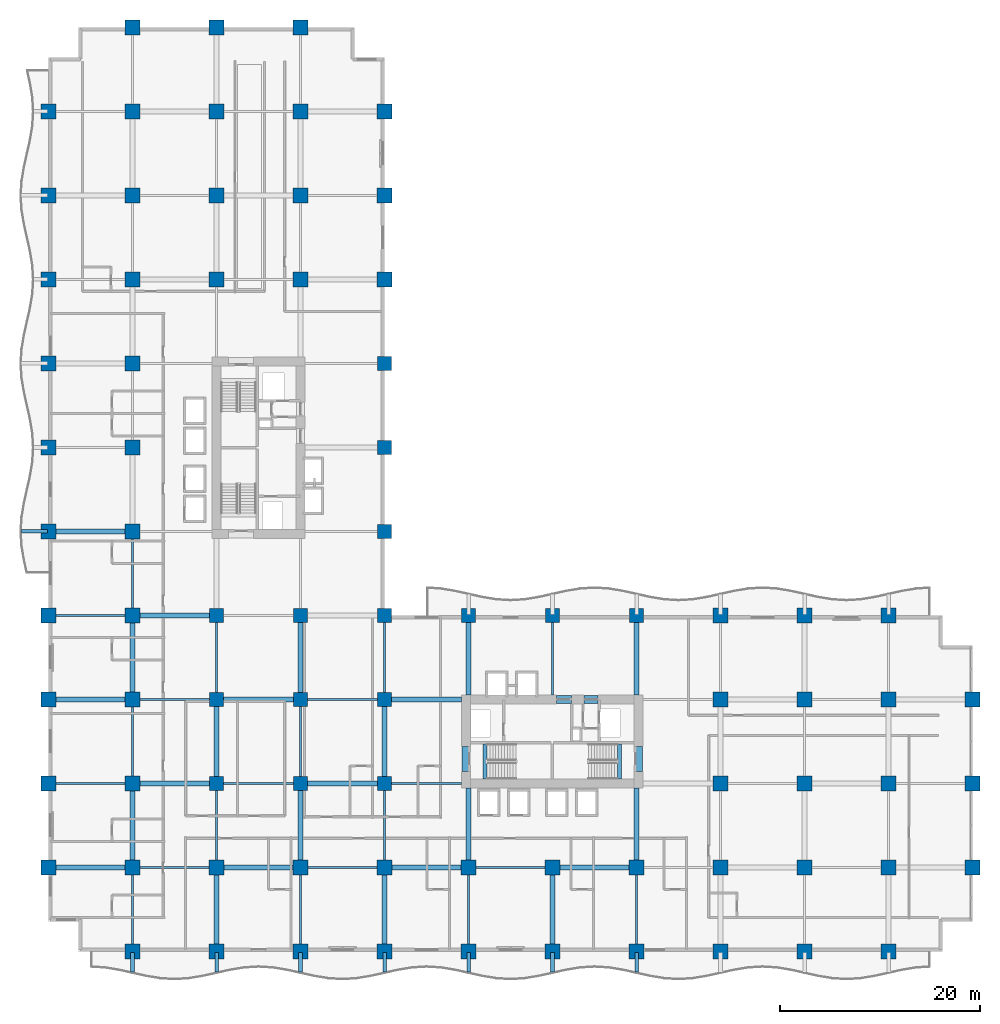
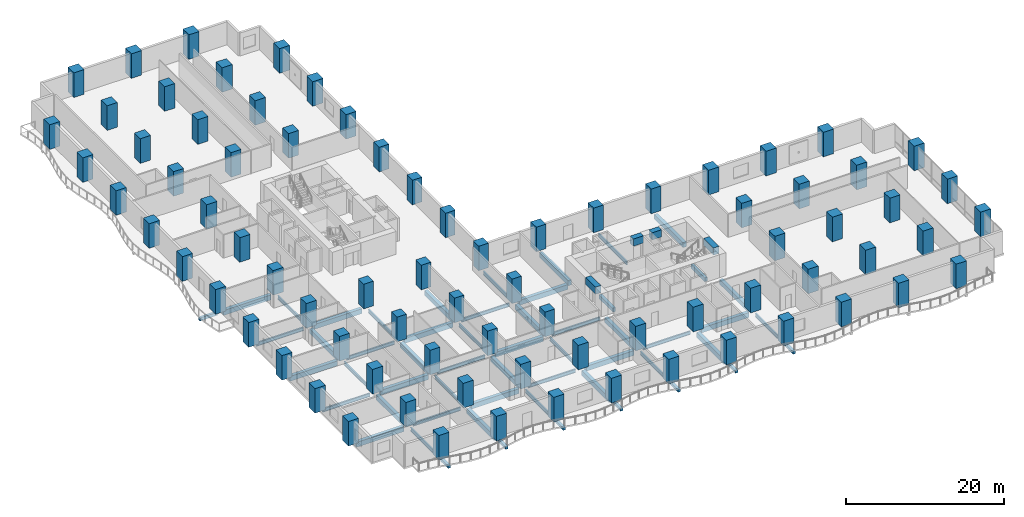
# One storey, part 1 of 27: 78 columns, 59 beams.
"""IFC4 building model written with IfcOpenShell, lengths in metres."""

from ifc_helpers import new_model, si_unit, direction, frame, origin, origin_2d, place, context, subcontext, project, spatial, rectangle, i_section, extrude, material, material_profile, profile_set, type_object, element, save


model = new_model("IFC4")

# Units and contexts
model_context = context("Model", 3, precision=1e-05, world=origin(), true_north=direction((0.0, 1.0)))
body_context = subcontext(model_context, "Body", "Model", "MODEL_VIEW")
ifc_project = project(units=[si_unit("LENGTHUNIT", "METRE"), si_unit("AREAUNIT", "SQUARE_METRE"), si_unit("VOLUMEUNIT", "CUBIC_METRE"), si_unit("PLANEANGLEUNIT", "RADIAN"), si_unit("MASSUNIT", "GRAM", prefix="KILO")], contexts=[model_context])

# Site, building, storey
site_placement = place(None, origin())
site = spatial("IfcSite", under=ifc_project, at=site_placement, CompositionType="ELEMENT")
building_placement = place(site_placement, origin())
building = spatial("IfcBuilding", under=site, at=building_placement, Name="Koriwani Terraces Tower", CompositionType="ELEMENT")
storey_placement = place(building_placement, frame((0.0, 0.0, 70.0)))
storey = spatial("IfcBuildingStorey", under=building, at=storey_placement, Name="L16", CompositionType="ELEMENT", Elevation=70.0)

# Columns
ifc_material_1 = material(Name="Concrete C60/75", Category="concrete")
ifc_material_profile_1 = material_profile(ifc_material_1, rectangle(XDim=1.39990234375, YDim=1.39990234375, at=origin_2d()), Name="Concrete C60/75", Category="LoadBearing")
ifc_profile_set_1 = profile_set([ifc_material_profile_1], Name="Concrete C60/75")
column_type_1 = type_object("IfcColumnType", Name="COL_RC_1400X1400", PredefinedType="COLUMN", material=ifc_profile_set_1)
for number, where, z_axis, x_axis, name in (
    (1, (16.800048828125, 16.800048828125, 0.0), (0.0, 0.0, 1.0), (1.0, 0.0, 0.0), "L16 Column 3/C"),
    (2, (16.800048828125, 25.199951171875, 0.0), (0.0, 0.0, 1.0), (1.0, 0.0, 0.0), "L16 Column 3/D"),
    (3, (16.800048828125, 33.60009765625, 0.0), (0.0, 0.0, 1.0), (1.0, 0.0, 0.0), "L16 Column 3/E"),
    (4, (25.199951171875, 16.800048828125, 0.0), (0.0, 0.0, 1.0), (1.0, 0.0, 0.0), "L16 Column 4/C"),
    (5, (25.199951171875, 25.199951171875, 0.0), (0.0, 0.0, 1.0), (1.0, 0.0, 0.0), "L16 Column 4/D"),
    (6, (25.199951171875, 33.60009765625, 0.0), (0.0, 0.0, 1.0), (1.0, 0.0, 0.0), "L16 Column 4/E"),
    (7, (33.60009765625, 16.800048828125, 0.0), (0.0, 0.0, 1.0), (1.0, 0.0, 0.0), "L16 Column 5/C"),
    (8, (33.60009765625, 25.199951171875, 0.0), (0.0, 0.0, 1.0), (1.0, 0.0, 0.0), "L16 Column 5/D"),
    (9, (33.60009765625, 33.60009765625, 0.0), (0.0, 0.0, 1.0), (1.0, 0.0, 0.0), "L16 Column 5/E"),
    (10, (33.60009765625, 42.0, 0.0), (0.0, 0.0, 1.0), (1.0, 0.0, 0.0), "L16 Column 5/F"),
    (11, (33.60009765625, 50.39990234375, 0.0), (0.0, 0.0, 1.0), (1.0, 0.0, 0.0), "L16 Column 5/G"),
    (12, (33.60009765625, 58.800048828125, 0.0), (0.0, 0.0, 1.0), (1.0, 0.0, 0.0), "L16 Column 5/H"),
    (13, (42.0, 33.60009765625, 0.0), (0.0, 0.0, 1.0), (1.0, 0.0, 0.0), "L16 Column 6/E"),
    (14, (50.39990234375, 33.60009765625, 0.0), (0.0, 0.0, 1.0), (1.0, 0.0, 0.0), "L16 Column 7/E"),
    (15, (58.800048828125, 33.60009765625, 0.0), (0.0, 0.0, 1.0), (1.0, 0.0, 0.0), "L16 Column 8/E"),
):
    element("IfcColumn", number, at=place(storey_placement, frame(where, z_axis=z_axis, x_axis=x_axis)), inside=storey, type_object=column_type_1, Name=name, PredefinedType="COLUMN", context=body_context, shape_type="SweptSolid", body=[
        extrude(rectangle(XDim=1.39990234375, YDim=1.39990234375, at=origin_2d()), origin(), (0.0, 0.0, 1.0), 3.800048828125),
    ])
ifc_material_profile_2 = material_profile(ifc_material_1, rectangle(XDim=1.5, YDim=1.5, at=origin_2d()), Name="Concrete C60/75", Category="LoadBearing")
ifc_profile_set_2 = profile_set([ifc_material_profile_2], Name="Concrete C60/75")
column_type_2 = type_object("IfcColumnType", Name="COL_RC_1500X1500", PredefinedType="COLUMN", material=ifc_profile_set_2)
for number, where, z_axis, x_axis, name in (
    (16, (0.0, 8.39990234375, 0.0), (0.0, 0.0, 1.0), (1.0, 0.0, 0.0), "L16 Column 1/B"),
    (17, (0.0, 16.800048828125, 0.0), (0.0, 0.0, 1.0), (1.0, 0.0, 0.0), "L16 Column 1/C"),
    (18, (0.0, 25.199951171875, 0.0), (0.0, 0.0, 1.0), (1.0, 0.0, 0.0), "L16 Column 1/D"),
    (19, (0.0, 33.60009765625, 0.0), (0.0, 0.0, 1.0), (1.0, 0.0, 0.0), "L16 Column 1/E"),
    (20, (0.0, 42.0, 0.0), (0.0, 0.0, 1.0), (1.0, 0.0, 0.0), "L16 Column 1/F"),
    (21, (0.0, 50.39990234375, 0.0), (0.0, 0.0, 1.0), (1.0, 0.0, 0.0), "L16 Column 1/G"),
    (22, (0.0, 58.800048828125, 0.0), (0.0, 0.0, 1.0), (1.0, 0.0, 0.0), "L16 Column 1/H"),
    (23, (0.0, 67.199951171875, 0.0), (0.0, 0.0, 1.0), (1.0, 0.0, 0.0), "L16 Column 1/I"),
    (24, (0.0, 75.60009765625, 0.0), (0.0, 0.0, 1.0), (1.0, 0.0, 0.0), "L16 Column 1/J"),
    (25, (0.0, 84.0, 0.0), (0.0, 0.0, 1.0), (1.0, 0.0, 0.0), "L16 Column 1/K"),
    (26, (8.39990234375, 0.0, 0.0), (0.0, 0.0, 1.0), (1.0, 0.0, 0.0), "L16 Column 2/A"),
    (27, (8.39990234375, 8.39990234375, 0.0), (0.0, 0.0, 1.0), (1.0, 0.0, 0.0), "L16 Column 2/B"),
    (28, (8.39990234375, 16.800048828125, 0.0), (0.0, 0.0, 1.0), (1.0, 0.0, 0.0), "L16 Column 2/C"),
    (29, (8.39990234375, 25.199951171875, 0.0), (0.0, 0.0, 1.0), (1.0, 0.0, 0.0), "L16 Column 2/D"),
    (30, (8.39990234375, 33.60009765625, 0.0), (0.0, 0.0, 1.0), (1.0, 0.0, 0.0), "L16 Column 2/E"),
    (31, (8.39990234375, 42.0, 0.0), (0.0, 0.0, 1.0), (1.0, 0.0, 0.0), "L16 Column 2/F"),
    (32, (8.39990234375, 50.39990234375, 0.0), (0.0, 0.0, 1.0), (1.0, 0.0, 0.0), "L16 Column 2/G"),
    (33, (8.39990234375, 58.800048828125, 0.0), (0.0, 0.0, 1.0), (1.0, 0.0, 0.0), "L16 Column 2/H"),
    (34, (8.39990234375, 67.199951171875, 0.0), (0.0, 0.0, 1.0), (1.0, 0.0, 0.0), "L16 Column 2/I"),
    (35, (8.39990234375, 75.60009765625, 0.0), (0.0, 0.0, 1.0), (1.0, 0.0, 0.0), "L16 Column 2/J"),
    (36, (8.39990234375, 84.0, 0.0), (0.0, 0.0, 1.0), (1.0, 0.0, 0.0), "L16 Column 2/K"),
    (37, (8.39990234375, 92.39990234375, 0.0), (0.0, 0.0, 1.0), (1.0, 0.0, 0.0), "L16 Column 2/L"),
    (38, (16.800048828125, 0.0, 0.0), (0.0, 0.0, 1.0), (1.0, 0.0, 0.0), "L16 Column 3/A"),
    (39, (16.800048828125, 8.39990234375, 0.0), (0.0, 0.0, 1.0), (1.0, 0.0, 0.0), "L16 Column 3/B"),
    (40, (16.800048828125, 67.199951171875, 0.0), (0.0, 0.0, 1.0), (1.0, 0.0, 0.0), "L16 Column 3/I"),
    (41, (16.800048828125, 75.60009765625, 0.0), (0.0, 0.0, 1.0), (1.0, 0.0, 0.0), "L16 Column 3/J"),
    (42, (16.800048828125, 84.0, 0.0), (0.0, 0.0, 1.0), (1.0, 0.0, 0.0), "L16 Column 3/K"),
    (43, (16.800048828125, 92.39990234375, 0.0), (0.0, 0.0, 1.0), (1.0, 0.0, 0.0), "L16 Column 3/L"),
    (44, (25.199951171875, 0.0, 0.0), (0.0, 0.0, 1.0), (1.0, 0.0, 0.0), "L16 Column 4/A"),
    (45, (25.199951171875, 8.39990234375, 0.0), (0.0, 0.0, 1.0), (1.0, 0.0, 0.0), "L16 Column 4/B"),
    (46, (25.199951171875, 67.199951171875, 0.0), (0.0, 0.0, 1.0), (1.0, 0.0, 0.0), "L16 Column 4/I"),
    (47, (25.199951171875, 75.60009765625, 0.0), (0.0, 0.0, 1.0), (1.0, 0.0, 0.0), "L16 Column 4/J"),
    (48, (25.199951171875, 84.0, 0.0), (0.0, 0.0, 1.0), (1.0, 0.0, 0.0), "L16 Column 4/K"),
    (49, (25.199951171875, 92.39990234375, 0.0), (0.0, 0.0, 1.0), (1.0, 0.0, 0.0), "L16 Column 4/L"),
    (50, (33.60009765625, 0.0, 0.0), (0.0, 0.0, 1.0), (1.0, 0.0, 0.0), "L16 Column 5/A"),
    (51, (33.60009765625, 8.39990234375, 0.0), (0.0, 0.0, 1.0), (1.0, 0.0, 0.0), "L16 Column 5/B"),
    (52, (33.60009765625, 67.199951171875, 0.0), (0.0, 0.0, 1.0), (1.0, 0.0, 0.0), "L16 Column 5/I"),
    (53, (33.60009765625, 75.60009765625, 0.0), (0.0, 0.0, 1.0), (1.0, 0.0, 0.0), "L16 Column 5/J"),
    (54, (33.60009765625, 84.0, 0.0), (0.0, 0.0, 1.0), (1.0, 0.0, 0.0), "L16 Column 5/K"),
    (55, (42.0, 0.0, 0.0), (0.0, 0.0, 1.0), (1.0, 0.0, 0.0), "L16 Column 6/A"),
    (56, (42.0, 8.39990234375, 0.0), (0.0, 0.0, 1.0), (1.0, 0.0, 0.0), "L16 Column 6/B"),
    (57, (50.39990234375, 0.0, 0.0), (0.0, 0.0, 1.0), (1.0, 0.0, 0.0), "L16 Column 7/A"),
    (58, (50.39990234375, 8.39990234375, 0.0), (0.0, 0.0, 1.0), (1.0, 0.0, 0.0), "L16 Column 7/B"),
    (59, (58.800048828125, 0.0, 0.0), (0.0, 0.0, 1.0), (1.0, 0.0, 0.0), "L16 Column 8/A"),
    (60, (58.800048828125, 8.39990234375, 0.0), (0.0, 0.0, 1.0), (1.0, 0.0, 0.0), "L16 Column 8/B"),
    (61, (67.199951171875, 0.0, 0.0), (0.0, 0.0, 1.0), (1.0, 0.0, 0.0), "L16 Column 9/A"),
    (62, (67.199951171875, 8.39990234375, 0.0), (0.0, 0.0, 1.0), (1.0, 0.0, 0.0), "L16 Column 9/B"),
    (63, (67.199951171875, 16.800048828125, 0.0), (0.0, 0.0, 1.0), (1.0, 0.0, 0.0), "L16 Column 9/C"),
    (64, (67.199951171875, 25.199951171875, 0.0), (0.0, 0.0, 1.0), (1.0, 0.0, 0.0), "L16 Column 9/D"),
    (65, (67.199951171875, 33.60009765625, 0.0), (0.0, 0.0, 1.0), (1.0, 0.0, 0.0), "L16 Column 9/E"),
    (66, (75.60009765625, 0.0, 0.0), (0.0, 0.0, 1.0), (1.0, 0.0, 0.0), "L16 Column 10/A"),
    (67, (75.60009765625, 8.39990234375, 0.0), (0.0, 0.0, 1.0), (1.0, 0.0, 0.0), "L16 Column 10/B"),
    (68, (75.60009765625, 16.800048828125, 0.0), (0.0, 0.0, 1.0), (1.0, 0.0, 0.0), "L16 Column 10/C"),
    (69, (75.60009765625, 25.199951171875, 0.0), (0.0, 0.0, 1.0), (1.0, 0.0, 0.0), "L16 Column 10/D"),
    (70, (75.60009765625, 33.60009765625, 0.0), (0.0, 0.0, 1.0), (1.0, 0.0, 0.0), "L16 Column 10/E"),
    (71, (84.0, 0.0, 0.0), (0.0, 0.0, 1.0), (1.0, 0.0, 0.0), "L16 Column 11/A"),
    (72, (84.0, 8.39990234375, 0.0), (0.0, 0.0, 1.0), (1.0, 0.0, 0.0), "L16 Column 11/B"),
    (73, (84.0, 16.800048828125, 0.0), (0.0, 0.0, 1.0), (1.0, 0.0, 0.0), "L16 Column 11/C"),
    (74, (84.0, 25.199951171875, 0.0), (0.0, 0.0, 1.0), (1.0, 0.0, 0.0), "L16 Column 11/D"),
    (75, (84.0, 33.60009765625, 0.0), (0.0, 0.0, 1.0), (1.0, 0.0, 0.0), "L16 Column 11/E"),
    (76, (92.39990234375, 8.39990234375, 0.0), (0.0, 0.0, 1.0), (1.0, 0.0, 0.0), "L16 Column 12/B"),
    (77, (92.39990234375, 16.800048828125, 0.0), (0.0, 0.0, 1.0), (1.0, 0.0, 0.0), "L16 Column 12/C"),
    (78, (92.39990234375, 25.199951171875, 0.0), (0.0, 0.0, 1.0), (1.0, 0.0, 0.0), "L16 Column 12/D"),
):
    element("IfcColumn", number, at=place(storey_placement, frame(where, z_axis=z_axis, x_axis=x_axis)), inside=storey, type_object=column_type_2, Name=name, PredefinedType="COLUMN", context=body_context, shape_type="SweptSolid", body=[
        extrude(rectangle(XDim=1.5, YDim=1.5, at=origin_2d()), origin(), (0.0, 0.0, 1.0), 3.800048828125),
    ])

# Beams
ifc_material_2 = material(Name="Concrete C40/50", Category="concrete")
ifc_material_profile_3 = material_profile(ifc_material_2, rectangle(XDim=0.35009765625, YDim=0.449951171875, at=origin_2d()), Name="Concrete C40/50", Category="LoadBearing")
ifc_profile_set_3 = profile_set([ifc_material_profile_3], Name="Concrete C40/50")
beam_type_1 = type_object("IfcBeamType", Name="BEAM_RC_BALCONY_RIB_350X450", PredefinedType="JOIST", material=ifc_profile_set_3)
for number, where, z_axis, x_axis, name in (
    (79, (8.39990234375, -2.074951171875, -0.47509765625), (0.0, 1.0, 0.0), (-1.0, 0.0, 0.0), "L16 Balcony Bracket Rib S-1"),
    (80, (16.800048828125, -2.074951171875, -0.47509765625), (0.0, 1.0, 0.0), (-1.0, 0.0, 0.0), "L16 Balcony Bracket Rib S-2"),
    (81, (25.199951171875, -2.074951171875, -0.47509765625), (0.0, 1.0, 0.0), (-1.0, 0.0, 0.0), "L16 Balcony Bracket Rib S-3"),
    (82, (33.60009765625, -2.074951171875, -0.47509765625), (0.0, 1.0, 0.0), (-1.0, 0.0, 0.0), "L16 Balcony Bracket Rib S-4"),
    (83, (42.0, -2.074951171875, -0.47509765625), (0.0, 1.0, 0.0), (-1.0, 0.0, 0.0), "L16 Balcony Bracket Rib S-5"),
    (84, (50.39990234375, -2.074951171875, -0.47509765625), (0.0, 1.0, 0.0), (-1.0, 0.0, 0.0), "L16 Balcony Bracket Rib S-6"),
    (85, (58.800048828125, -2.074951171875, -0.47509765625), (0.0, 1.0, 0.0), (-1.0, 0.0, 0.0), "L16 Balcony Bracket Rib S-7"),
):
    element("IfcBeam", number, at=place(storey_placement, frame(where, z_axis=z_axis, x_axis=x_axis)), inside=storey, type_object=beam_type_1, Name=name, PredefinedType="JOIST", context=body_context, shape_type="SweptSolid", body=[
        extrude(rectangle(XDim=0.35009765625, YDim=0.449951171875, at=origin_2d()), origin(), (0.0, 0.0, 1.0), 1.974853515625),
    ])
beam_1_placement = place(storey_placement, frame((-2.699951171875, 42.0, -0.47509765625), z_axis=(1.0, 0.0, 0.0), x_axis=(0.0, 1.0, 0.0)))
element("IfcBeam", 86, at=beam_1_placement, inside=storey, type_object=beam_type_1, Name="L16 Balcony Bracket Rib W-1", PredefinedType="JOIST", context=body_context, shape_type="SweptSolid", body=[
    extrude(rectangle(XDim=0.35009765625, YDim=0.449951171875, at=origin_2d()), origin(), (0.0, 0.0, 1.0), 2.599853515625),
])
ifc_material_profile_4 = material_profile(ifc_material_1, rectangle(XDim=0.800048828125, YDim=1.10009765625, at=origin_2d()), Name="Concrete C60/75", Category="LoadBearing")
ifc_profile_set_4 = profile_set([ifc_material_profile_4], Name="Concrete C60/75")
beam_type_2 = type_object("IfcBeamType", Name="BEAM_RC_COUPLING_800X1100", PredefinedType="LINTEL", material=ifc_profile_set_4)
beam_2_placement = place(storey_placement, frame((50.800048828125, 25.199951171875, 3.0), z_axis=(1.0, 0.0, 0.0), x_axis=(0.0, 1.0, 0.0)))
element("IfcBeam", 87, at=beam_2_placement, inside=storey, type_object=beam_type_2, Name="L16 Core Coupling Lintel Beam EN1", PredefinedType="LINTEL", context=body_context, shape_type="SweptSolid", body=[
    extrude(rectangle(XDim=0.800048828125, YDim=1.10009765625, at=origin_2d()), origin(), (0.0, 0.0, 1.0), 1.47998046875),
])
beam_3_placement = place(storey_placement, frame((53.550048828125, 25.199951171875, 3.0), z_axis=(1.0, 0.0, 0.0), x_axis=(0.0, 1.0, 0.0)))
element("IfcBeam", 88, at=beam_3_placement, inside=storey, type_object=beam_type_2, Name="L16 Core Coupling Lintel Beam EN2", PredefinedType="LINTEL", context=body_context, shape_type="SweptSolid", body=[
    extrude(rectangle(XDim=0.800048828125, YDim=1.10009765625, at=origin_2d()), origin(), (0.0, 0.0, 1.0), 1.39990234375),
])
for number, where, z_axis, x_axis, name in (
    (89, (41.75, 18.0, 3.0), (0.0, 1.0, 0.0), (-1.0, 0.0, 0.0), "L16 Core Coupling Lintel Beam EW"),
    (90, (59.0, 18.0, 3.0), (0.0, 1.0, 0.0), (-1.0, 0.0, 0.0), "L16 Core Coupling Lintel Beam EE"),
):
    element("IfcBeam", number, at=place(storey_placement, frame(where, z_axis=z_axis, x_axis=x_axis)), inside=storey, type_object=beam_type_2, Name=name, PredefinedType="LINTEL", context=body_context, shape_type="SweptSolid", body=[
        extrude(rectangle(XDim=0.800048828125, YDim=1.10009765625, at=origin_2d()), origin(), (0.0, 0.0, 1.0), 2.5),
    ])
ifc_material_profile_5 = material_profile(ifc_material_2, rectangle(XDim=0.39990234375, YDim=0.60009765625, at=origin_2d()), Name="Concrete C40/50", Category="LoadBearing")
ifc_profile_set_5 = profile_set([ifc_material_profile_5], Name="Concrete C40/50")
beam_type_3 = type_object("IfcBeamType", Name="BEAM_RC_GRID_400X600", PredefinedType="BEAM", material=ifc_profile_set_5)
for number, where, z_axis, x_axis, name in (
    (91, (43.655029296875, 17.25, -0.300048828125), (0.0, 1.0, 0.0), (-1.0, 0.0, 0.0), "L16 Stairwell Header Trimmer Beam ST-E1"),
    (92, (57.094970703125, 17.25, -0.300048828125), (0.0, 1.0, 0.0), (-1.0, 0.0, 0.0), "L16 Stairwell Header Trimmer Beam ST-E2"),
):
    element("IfcBeam", number, at=place(storey_placement, frame(where, z_axis=z_axis, x_axis=x_axis)), inside=storey, type_object=beam_type_3, Name=name, PredefinedType="BEAM", context=body_context, shape_type="SweptSolid", body=[
        extrude(rectangle(XDim=0.39990234375, YDim=0.60009765625, at=origin_2d()), origin(), (0.0, 0.0, 1.0), 3.5),
    ])
ifc_material_3 = material(Name="Concrete C50/60", Category="concrete")
ifc_material_profile_6 = material_profile(ifc_material_3, rectangle(XDim=0.5, YDim=0.75, at=origin_2d()), Name="Concrete C50/60", Category="LoadBearing")
ifc_profile_set_6 = profile_set([ifc_material_profile_6], Name="Concrete C50/60")
beam_type_4 = type_object("IfcBeamType", Name="BEAM_RC_GRID_500X750", PredefinedType="BEAM", material=ifc_profile_set_6)
for number, where, z_axis, x_axis, name in (
    (93, (0.72998046875, 8.39990234375, -0.625), (1.0, 0.0, 0.0), (0.0, 1.0, 0.0), "L16 Grid Beam B (0.0-8.4m)"),
    (94, (17.530029296875, 8.39990234375, -0.625), (1.0, 0.0, 0.0), (0.0, 1.0, 0.0), "L16 Grid Beam B (16.8-25.2m)"),
    (95, (34.330078125, 8.39990234375, -0.625), (1.0, 0.0, 0.0), (0.0, 1.0, 0.0), "L16 Grid Beam B (33.6-42.0m)"),
):
    element("IfcBeam", number, at=place(storey_placement, frame(where, z_axis=z_axis, x_axis=x_axis)), inside=storey, type_object=beam_type_4, Name=name, PredefinedType="BEAM", context=body_context, shape_type="SweptSolid", body=[
        extrude(rectangle(XDim=0.5, YDim=0.75, at=origin_2d()), origin(), (0.0, 0.0, 1.0), 6.93994140625),
    ])
beam_4_placement = place(storey_placement, frame((51.1298828125, 8.39990234375, -0.625), z_axis=(1.0, 0.0, 0.0), x_axis=(0.0, 1.0, 0.0)))
element("IfcBeam", 96, at=beam_4_placement, inside=storey, type_object=beam_type_4, Name="L16 Grid Beam B (50.4-58.8m)", PredefinedType="BEAM", context=body_context, shape_type="SweptSolid", body=[
    extrude(rectangle(XDim=0.5, YDim=0.75, at=origin_2d()), origin(), (0.0, 0.0, 1.0), 6.940185546875),
])
beam_5_placement = place(storey_placement, frame((9.1298828125, 16.800048828125, -0.625), z_axis=(1.0, 0.0, 0.0), x_axis=(0.0, 1.0, 0.0)))
element("IfcBeam", 97, at=beam_5_placement, inside=storey, type_object=beam_type_4, Name="L16 Grid Beam C (8.4-16.8m)", PredefinedType="BEAM", context=body_context, shape_type="SweptSolid", body=[
    extrude(rectangle(XDim=0.5, YDim=0.75, at=origin_2d()), origin(), (0.0, 0.0, 1.0), 6.990234375),
])
beam_6_placement = place(storey_placement, frame((25.8798828125, 16.800048828125, -0.625), z_axis=(1.0, 0.0, 0.0), x_axis=(0.0, 1.0, 0.0)))
element("IfcBeam", 98, at=beam_6_placement, inside=storey, type_object=beam_type_4, Name="L16 Grid Beam C (25.2-33.6m)", PredefinedType="BEAM", context=body_context, shape_type="SweptSolid", body=[
    extrude(rectangle(XDim=0.5, YDim=0.75, at=origin_2d()), origin(), (0.0, 0.0, 1.0), 7.0400390625),
])
beam_7_placement = place(storey_placement, frame((0.72998046875, 25.199951171875, -0.625), z_axis=(1.0, 0.0, 0.0), x_axis=(0.0, 1.0, 0.0)))
element("IfcBeam", 99, at=beam_7_placement, inside=storey, type_object=beam_type_4, Name="L16 Grid Beam D (0.0-8.4m)", PredefinedType="BEAM", context=body_context, shape_type="SweptSolid", body=[
    extrude(rectangle(XDim=0.5, YDim=0.75, at=origin_2d()), origin(), (0.0, 0.0, 1.0), 6.93994140625),
])
for number, where, z_axis, x_axis, name in (
    (100, (17.47998046875, 25.199951171875, -0.625), (1.0, 0.0, 0.0), (0.0, 1.0, 0.0), "L16 Grid Beam D (16.8-25.2m)"),
    (101, (34.280029296875, 25.199951171875, -0.625), (1.0, 0.0, 0.0), (0.0, 1.0, 0.0), "L16 Grid Beam D (33.6-42.0m)"),
):
    element("IfcBeam", number, at=place(storey_placement, frame(where, z_axis=z_axis, x_axis=x_axis)), inside=storey, type_object=beam_type_4, Name=name, PredefinedType="BEAM", context=body_context, shape_type="SweptSolid", body=[
        extrude(rectangle(XDim=0.5, YDim=0.75, at=origin_2d()), origin(), (0.0, 0.0, 1.0), 7.0400390625),
    ])
beam_8_placement = place(storey_placement, frame((9.1298828125, 33.60009765625, -0.625), z_axis=(1.0, 0.0, 0.0), x_axis=(0.0, 1.0, 0.0)))
element("IfcBeam", 102, at=beam_8_placement, inside=storey, type_object=beam_type_4, Name="L16 Grid Beam E (8.4-16.8m)", PredefinedType="BEAM", context=body_context, shape_type="SweptSolid", body=[
    extrude(rectangle(XDim=0.5, YDim=0.75, at=origin_2d()), origin(), (0.0, 0.0, 1.0), 6.990234375),
])
beam_9_placement = place(storey_placement, frame((0.72998046875, 42.0, -0.625), z_axis=(1.0, 0.0, 0.0), x_axis=(0.0, 1.0, 0.0)))
element("IfcBeam", 103, at=beam_9_placement, inside=storey, type_object=beam_type_4, Name="L16 Grid Beam F (0.0-8.4m)", PredefinedType="BEAM", context=body_context, shape_type="SweptSolid", body=[
    extrude(rectangle(XDim=0.5, YDim=0.75, at=origin_2d()), origin(), (0.0, 0.0, 1.0), 6.93994140625),
])
for number, where, z_axis, x_axis, name in (
    (104, (8.39990234375, 9.1298828125, -0.625), (0.0, 1.0, 0.0), (-1.0, 0.0, 0.0), "L16 Grid Beam 2 (8.4-16.8m)"),
    (105, (8.39990234375, 25.929931640625, -0.625), (0.0, 1.0, 0.0), (-1.0, 0.0, 0.0), "L16 Grid Beam 2 (25.2-33.6m)"),
):
    element("IfcBeam", number, at=place(storey_placement, frame(where, z_axis=z_axis, x_axis=x_axis)), inside=storey, type_object=beam_type_4, Name=name, PredefinedType="BEAM", context=body_context, shape_type="SweptSolid", body=[
        extrude(rectangle(XDim=0.5, YDim=0.75, at=origin_2d()), origin(), (0.0, 0.0, 1.0), 6.940185546875),
    ])
beam_10_placement = place(storey_placement, frame((16.800048828125, 0.72998046875, -0.625), z_axis=(0.0, 1.0, 0.0), x_axis=(-1.0, 0.0, 0.0)))
element("IfcBeam", 106, at=beam_10_placement, inside=storey, type_object=beam_type_4, Name="L16 Grid Beam 3 (0.0-8.4m)", PredefinedType="BEAM", context=body_context, shape_type="SweptSolid", body=[
    extrude(rectangle(XDim=0.5, YDim=0.75, at=origin_2d()), origin(), (0.0, 0.0, 1.0), 6.93994140625),
])
beam_11_placement = place(storey_placement, frame((16.800048828125, 17.47998046875, -0.625), z_axis=(0.0, 1.0, 0.0), x_axis=(-1.0, 0.0, 0.0)))
element("IfcBeam", 107, at=beam_11_placement, inside=storey, type_object=beam_type_4, Name="L16 Grid Beam 3 (16.8-25.2m)", PredefinedType="BEAM", context=body_context, shape_type="SweptSolid", body=[
    extrude(rectangle(XDim=0.5, YDim=0.75, at=origin_2d()), origin(), (0.0, 0.0, 1.0), 7.0400390625),
])
beam_12_placement = place(storey_placement, frame((25.199951171875, 9.1298828125, -0.625), z_axis=(0.0, 1.0, 0.0), x_axis=(-1.0, 0.0, 0.0)))
element("IfcBeam", 108, at=beam_12_placement, inside=storey, type_object=beam_type_4, Name="L16 Grid Beam 4 (8.4-16.8m)", PredefinedType="BEAM", context=body_context, shape_type="SweptSolid", body=[
    extrude(rectangle(XDim=0.5, YDim=0.75, at=origin_2d()), origin(), (0.0, 0.0, 1.0), 6.990234375),
])
beam_13_placement = place(storey_placement, frame((25.199951171875, 25.8798828125, -0.625), z_axis=(0.0, 1.0, 0.0), x_axis=(-1.0, 0.0, 0.0)))
element("IfcBeam", 109, at=beam_13_placement, inside=storey, type_object=beam_type_4, Name="L16 Grid Beam 4 (25.2-33.6m)", PredefinedType="BEAM", context=body_context, shape_type="SweptSolid", body=[
    extrude(rectangle(XDim=0.5, YDim=0.75, at=origin_2d()), origin(), (0.0, 0.0, 1.0), 7.0400390625),
])
beam_14_placement = place(storey_placement, frame((33.60009765625, 0.72998046875, -0.625), z_axis=(0.0, 1.0, 0.0), x_axis=(-1.0, 0.0, 0.0)))
element("IfcBeam", 110, at=beam_14_placement, inside=storey, type_object=beam_type_4, Name="L16 Grid Beam 5 (0.0-8.4m)", PredefinedType="BEAM", context=body_context, shape_type="SweptSolid", body=[
    extrude(rectangle(XDim=0.5, YDim=0.75, at=origin_2d()), origin(), (0.0, 0.0, 1.0), 6.93994140625),
])
beam_15_placement = place(storey_placement, frame((33.60009765625, 17.47998046875, -0.625), z_axis=(0.0, 1.0, 0.0), x_axis=(-1.0, 0.0, 0.0)))
element("IfcBeam", 111, at=beam_15_placement, inside=storey, type_object=beam_type_4, Name="L16 Grid Beam 5 (16.8-25.2m)", PredefinedType="BEAM", context=body_context, shape_type="SweptSolid", body=[
    extrude(rectangle(XDim=0.5, YDim=0.75, at=origin_2d()), origin(), (0.0, 0.0, 1.0), 7.0400390625),
])
beam_16_placement = place(storey_placement, frame((42.0, 9.1298828125, -0.625), z_axis=(0.0, 1.0, 0.0), x_axis=(-1.0, 0.0, 0.0)))
element("IfcBeam", 112, at=beam_16_placement, inside=storey, type_object=beam_type_4, Name="L16 Grid Beam 6 (8.4-16.8m)", PredefinedType="BEAM", context=body_context, shape_type="SweptSolid", body=[
    extrude(rectangle(XDim=0.5, YDim=0.75, at=origin_2d()), origin(), (0.0, 0.0, 1.0), 7.240234375),
])
beam_17_placement = place(storey_placement, frame((42.0, 25.6298828125, -0.625), z_axis=(0.0, 1.0, 0.0), x_axis=(-1.0, 0.0, 0.0)))
element("IfcBeam", 113, at=beam_17_placement, inside=storey, type_object=beam_type_4, Name="L16 Grid Beam 6 (25.2-33.6m)", PredefinedType="BEAM", context=body_context, shape_type="SweptSolid", body=[
    extrude(rectangle(XDim=0.5, YDim=0.75, at=origin_2d()), origin(), (0.0, 0.0, 1.0), 7.2900390625),
])
beam_18_placement = place(storey_placement, frame((50.39990234375, 0.72998046875, -0.625), z_axis=(0.0, 1.0, 0.0), x_axis=(-1.0, 0.0, 0.0)))
element("IfcBeam", 114, at=beam_18_placement, inside=storey, type_object=beam_type_4, Name="L16 Grid Beam 7 (0.0-8.4m)", PredefinedType="BEAM", context=body_context, shape_type="SweptSolid", body=[
    extrude(rectangle(XDim=0.5, YDim=0.75, at=origin_2d()), origin(), (0.0, 0.0, 1.0), 6.93994140625),
])
beam_19_placement = place(storey_placement, frame((58.800048828125, 9.1298828125, -0.625), z_axis=(0.0, 1.0, 0.0), x_axis=(-1.0, 0.0, 0.0)))
element("IfcBeam", 115, at=beam_19_placement, inside=storey, type_object=beam_type_4, Name="L16 Grid Beam 8 (8.4-16.8m)", PredefinedType="BEAM", context=body_context, shape_type="SweptSolid", body=[
    extrude(rectangle(XDim=0.5, YDim=0.75, at=origin_2d()), origin(), (0.0, 0.0, 1.0), 7.240234375),
])
beam_20_placement = place(storey_placement, frame((58.800048828125, 25.6298828125, -0.625), z_axis=(0.0, 1.0, 0.0), x_axis=(-1.0, 0.0, 0.0)))
element("IfcBeam", 116, at=beam_20_placement, inside=storey, type_object=beam_type_4, Name="L16 Grid Beam 8 (25.2-33.6m)", PredefinedType="BEAM", context=body_context, shape_type="SweptSolid", body=[
    extrude(rectangle(XDim=0.5, YDim=0.75, at=origin_2d()), origin(), (0.0, 0.0, 1.0), 7.2900390625),
])
ifc_material_4 = material(Name="Steel ASTM A572 Grade 50", Category="steel")
ifc_material_profile_7 = material_profile(ifc_material_4, i_section(OverallWidth=0.2119140625, OverallDepth=0.54296875, WebThickness=0.0126953125, FlangeThickness=0.021240234375, at=origin_2d()), Name="Steel ASTM A572 Grade 50", Category="LoadBearing")
ifc_profile_set_7 = profile_set([ifc_material_profile_7], Name="Steel ASTM A572 Grade 50")
beam_type_5 = type_object("IfcBeamType", Name="STEEL_BEAM_W530X150", PredefinedType="BEAM", material=ifc_profile_set_7)
for number, where, z_axis, x_axis, name in (
    (117, (9.1298828125, 8.39990234375, -0.521484375), (1.0, 0.0, 0.0), (0.0, 1.0, 0.0), "L16 Grid Beam B (8.4-16.8m)"),
    (118, (25.929931640625, 8.39990234375, -0.521484375), (1.0, 0.0, 0.0), (0.0, 1.0, 0.0), "L16 Grid Beam B (25.2-33.6m)"),
):
    element("IfcBeam", number, at=place(storey_placement, frame(where, z_axis=z_axis, x_axis=x_axis)), inside=storey, type_object=beam_type_5, Name=name, PredefinedType="BEAM", context=body_context, shape_type="SweptSolid", body=[
        extrude(i_section(OverallWidth=0.2119140625, OverallDepth=0.54296875, WebThickness=0.0126953125, FlangeThickness=0.021240234375, at=origin_2d()), origin(), (0.0, 0.0, 1.0), 6.940185546875),
    ])
for number, where, z_axis, x_axis, name in (
    (119, (42.72998046875, 8.39990234375, -0.521484375), (1.0, 0.0, 0.0), (0.0, 1.0, 0.0), "L16 Grid Beam B (42.0-50.4m)"),
    (120, (0.72998046875, 16.800048828125, -0.521484375), (1.0, 0.0, 0.0), (0.0, 1.0, 0.0), "L16 Grid Beam C (0.0-8.4m)"),
):
    element("IfcBeam", number, at=place(storey_placement, frame(where, z_axis=z_axis, x_axis=x_axis)), inside=storey, type_object=beam_type_5, Name=name, PredefinedType="BEAM", context=body_context, shape_type="SweptSolid", body=[
        extrude(i_section(OverallWidth=0.2119140625, OverallDepth=0.54296875, WebThickness=0.0126953125, FlangeThickness=0.021240234375, at=origin_2d()), origin(), (0.0, 0.0, 1.0), 6.93994140625),
    ])
for number, where, z_axis, x_axis, name in (
    (121, (17.47998046875, 16.800048828125, -0.521484375), (1.0, 0.0, 0.0), (0.0, 1.0, 0.0), "L16 Grid Beam C (16.8-25.2m)"),
    (122, (34.280029296875, 16.800048828125, -0.521484375), (1.0, 0.0, 0.0), (0.0, 1.0, 0.0), "L16 Grid Beam C (33.6-42.0m)"),
):
    element("IfcBeam", number, at=place(storey_placement, frame(where, z_axis=z_axis, x_axis=x_axis)), inside=storey, type_object=beam_type_5, Name=name, PredefinedType="BEAM", context=body_context, shape_type="SweptSolid", body=[
        extrude(i_section(OverallWidth=0.2119140625, OverallDepth=0.54296875, WebThickness=0.0126953125, FlangeThickness=0.021240234375, at=origin_2d()), origin(), (0.0, 0.0, 1.0), 7.0400390625),
    ])
beam_21_placement = place(storey_placement, frame((9.1298828125, 25.199951171875, -0.521484375), z_axis=(1.0, 0.0, 0.0), x_axis=(0.0, 1.0, 0.0)))
element("IfcBeam", 123, at=beam_21_placement, inside=storey, type_object=beam_type_5, Name="L16 Grid Beam D (8.4-16.8m)", PredefinedType="BEAM", context=body_context, shape_type="SweptSolid", body=[
    extrude(i_section(OverallWidth=0.2119140625, OverallDepth=0.54296875, WebThickness=0.0126953125, FlangeThickness=0.021240234375, at=origin_2d()), origin(), (0.0, 0.0, 1.0), 6.990234375),
])
beam_22_placement = place(storey_placement, frame((25.8798828125, 25.199951171875, -0.521484375), z_axis=(1.0, 0.0, 0.0), x_axis=(0.0, 1.0, 0.0)))
element("IfcBeam", 124, at=beam_22_placement, inside=storey, type_object=beam_type_5, Name="L16 Grid Beam D (25.2-33.6m)", PredefinedType="BEAM", context=body_context, shape_type="SweptSolid", body=[
    extrude(i_section(OverallWidth=0.2119140625, OverallDepth=0.54296875, WebThickness=0.0126953125, FlangeThickness=0.021240234375, at=origin_2d()), origin(), (0.0, 0.0, 1.0), 7.0400390625),
])
for number, where, z_axis, x_axis, name in (
    (125, (0.72998046875, 33.60009765625, -0.521484375), (1.0, 0.0, 0.0), (0.0, 1.0, 0.0), "L16 Grid Beam E (0.0-8.4m)"),
    (126, (8.39990234375, 0.72998046875, -0.521484375), (0.0, 1.0, 0.0), (-1.0, 0.0, 0.0), "L16 Grid Beam 2 (0.0-8.4m)"),
    (127, (8.39990234375, 17.530029296875, -0.521484375), (0.0, 1.0, 0.0), (-1.0, 0.0, 0.0), "L16 Grid Beam 2 (16.8-25.2m)"),
    (128, (8.39990234375, 34.330078125, -0.521484375), (0.0, 1.0, 0.0), (-1.0, 0.0, 0.0), "L16 Grid Beam 2 (33.6-42.0m)"),
):
    element("IfcBeam", number, at=place(storey_placement, frame(where, z_axis=z_axis, x_axis=x_axis)), inside=storey, type_object=beam_type_5, Name=name, PredefinedType="BEAM", context=body_context, shape_type="SweptSolid", body=[
        extrude(i_section(OverallWidth=0.2119140625, OverallDepth=0.54296875, WebThickness=0.0126953125, FlangeThickness=0.021240234375, at=origin_2d()), origin(), (0.0, 0.0, 1.0), 6.93994140625),
    ])
beam_23_placement = place(storey_placement, frame((16.800048828125, 9.1298828125, -0.521484375), z_axis=(0.0, 1.0, 0.0), x_axis=(-1.0, 0.0, 0.0)))
element("IfcBeam", 129, at=beam_23_placement, inside=storey, type_object=beam_type_5, Name="L16 Grid Beam 3 (8.4-16.8m)", PredefinedType="BEAM", context=body_context, shape_type="SweptSolid", body=[
    extrude(i_section(OverallWidth=0.2119140625, OverallDepth=0.54296875, WebThickness=0.0126953125, FlangeThickness=0.021240234375, at=origin_2d()), origin(), (0.0, 0.0, 1.0), 6.990234375),
])
beam_24_placement = place(storey_placement, frame((16.800048828125, 25.8798828125, -0.521484375), z_axis=(0.0, 1.0, 0.0), x_axis=(-1.0, 0.0, 0.0)))
element("IfcBeam", 130, at=beam_24_placement, inside=storey, type_object=beam_type_5, Name="L16 Grid Beam 3 (25.2-33.6m)", PredefinedType="BEAM", context=body_context, shape_type="SweptSolid", body=[
    extrude(i_section(OverallWidth=0.2119140625, OverallDepth=0.54296875, WebThickness=0.0126953125, FlangeThickness=0.021240234375, at=origin_2d()), origin(), (0.0, 0.0, 1.0), 7.0400390625),
])
beam_25_placement = place(storey_placement, frame((25.199951171875, 0.72998046875, -0.521484375), z_axis=(0.0, 1.0, 0.0), x_axis=(-1.0, 0.0, 0.0)))
element("IfcBeam", 131, at=beam_25_placement, inside=storey, type_object=beam_type_5, Name="L16 Grid Beam 4 (0.0-8.4m)", PredefinedType="BEAM", context=body_context, shape_type="SweptSolid", body=[
    extrude(i_section(OverallWidth=0.2119140625, OverallDepth=0.54296875, WebThickness=0.0126953125, FlangeThickness=0.021240234375, at=origin_2d()), origin(), (0.0, 0.0, 1.0), 6.93994140625),
])
beam_26_placement = place(storey_placement, frame((25.199951171875, 17.47998046875, -0.521484375), z_axis=(0.0, 1.0, 0.0), x_axis=(-1.0, 0.0, 0.0)))
element("IfcBeam", 132, at=beam_26_placement, inside=storey, type_object=beam_type_5, Name="L16 Grid Beam 4 (16.8-25.2m)", PredefinedType="BEAM", context=body_context, shape_type="SweptSolid", body=[
    extrude(i_section(OverallWidth=0.2119140625, OverallDepth=0.54296875, WebThickness=0.0126953125, FlangeThickness=0.021240234375, at=origin_2d()), origin(), (0.0, 0.0, 1.0), 7.0400390625),
])
beam_27_placement = place(storey_placement, frame((33.60009765625, 9.1298828125, -0.521484375), z_axis=(0.0, 1.0, 0.0), x_axis=(-1.0, 0.0, 0.0)))
element("IfcBeam", 133, at=beam_27_placement, inside=storey, type_object=beam_type_5, Name="L16 Grid Beam 5 (8.4-16.8m)", PredefinedType="BEAM", context=body_context, shape_type="SweptSolid", body=[
    extrude(i_section(OverallWidth=0.2119140625, OverallDepth=0.54296875, WebThickness=0.0126953125, FlangeThickness=0.021240234375, at=origin_2d()), origin(), (0.0, 0.0, 1.0), 6.990234375),
])
beam_28_placement = place(storey_placement, frame((33.60009765625, 25.8798828125, -0.521484375), z_axis=(0.0, 1.0, 0.0), x_axis=(-1.0, 0.0, 0.0)))
element("IfcBeam", 134, at=beam_28_placement, inside=storey, type_object=beam_type_5, Name="L16 Grid Beam 5 (25.2-33.6m)", PredefinedType="BEAM", context=body_context, shape_type="SweptSolid", body=[
    extrude(i_section(OverallWidth=0.2119140625, OverallDepth=0.54296875, WebThickness=0.0126953125, FlangeThickness=0.021240234375, at=origin_2d()), origin(), (0.0, 0.0, 1.0), 7.0400390625),
])
beam_29_placement = place(storey_placement, frame((42.0, 0.72998046875, -0.521484375), z_axis=(0.0, 1.0, 0.0), x_axis=(-1.0, 0.0, 0.0)))
element("IfcBeam", 135, at=beam_29_placement, inside=storey, type_object=beam_type_5, Name="L16 Grid Beam 6 (0.0-8.4m)", PredefinedType="BEAM", context=body_context, shape_type="SweptSolid", body=[
    extrude(i_section(OverallWidth=0.2119140625, OverallDepth=0.54296875, WebThickness=0.0126953125, FlangeThickness=0.021240234375, at=origin_2d()), origin(), (0.0, 0.0, 1.0), 6.93994140625),
])
beam_30_placement = place(storey_placement, frame((50.39990234375, 25.6298828125, -0.521484375), z_axis=(0.0, 1.0, 0.0), x_axis=(-1.0, 0.0, 0.0)))
element("IfcBeam", 136, at=beam_30_placement, inside=storey, type_object=beam_type_5, Name="L16 Grid Beam 7 (25.2-33.6m)", PredefinedType="BEAM", context=body_context, shape_type="SweptSolid", body=[
    extrude(i_section(OverallWidth=0.2119140625, OverallDepth=0.54296875, WebThickness=0.0126953125, FlangeThickness=0.021240234375, at=origin_2d()), origin(), (0.0, 0.0, 1.0), 7.2900390625),
])
beam_31_placement = place(storey_placement, frame((58.800048828125, 0.72998046875, -0.521484375), z_axis=(0.0, 1.0, 0.0), x_axis=(-1.0, 0.0, 0.0)))
element("IfcBeam", 137, at=beam_31_placement, inside=storey, type_object=beam_type_5, Name="L16 Grid Beam 8 (0.0-8.4m)", PredefinedType="BEAM", context=body_context, shape_type="SweptSolid", body=[
    extrude(i_section(OverallWidth=0.2119140625, OverallDepth=0.54296875, WebThickness=0.0126953125, FlangeThickness=0.021240234375, at=origin_2d()), origin(), (0.0, 0.0, 1.0), 6.93994140625),
])

save(model, "model.ifc")
